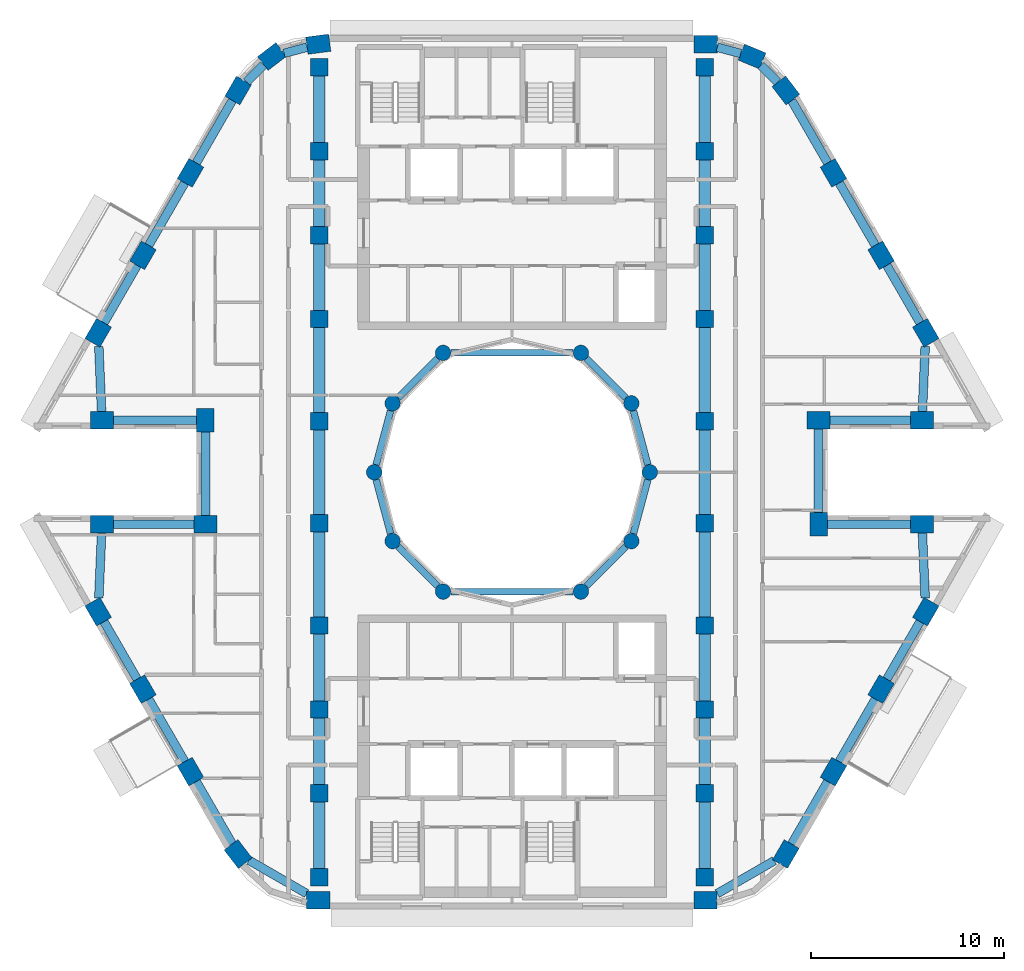
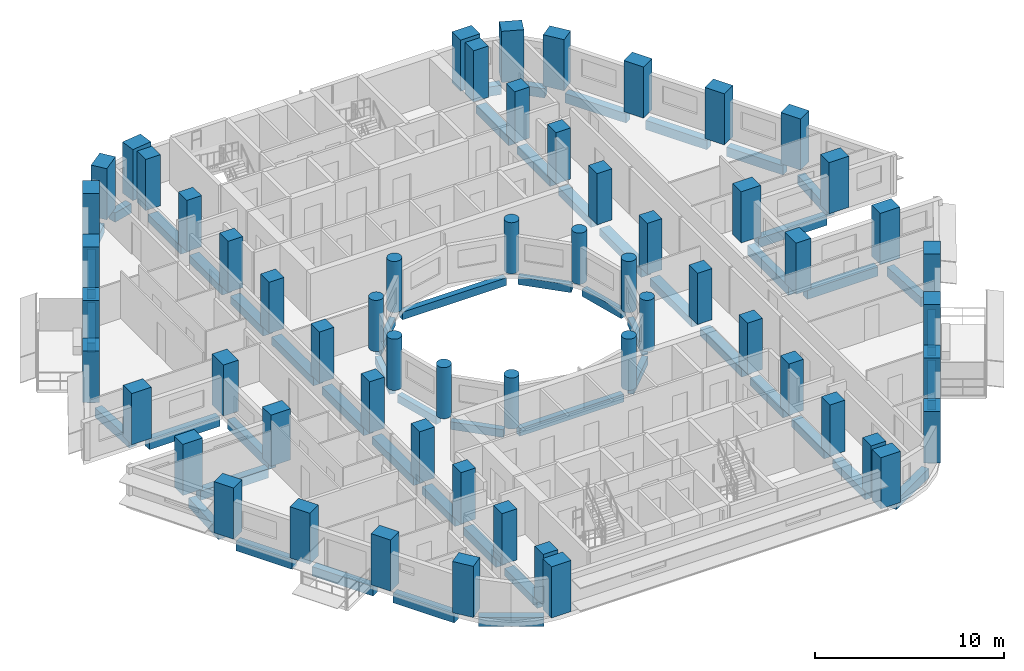
# One storey, part 1 of 17: 60 columns, 56 beams.
"""IFC4 building model written with IfcOpenShell, lengths in metres."""

from ifc_helpers import new_model, si_unit, direction, frame, origin, origin_2d, place, context, subcontext, project, spatial, rectangle, circle, extrude, material, material_profile, profile_set, type_object, element, save


model = new_model("IFC4")

# Units and contexts
model_context = context("Model", 3, precision=1e-05, world=origin(), true_north=direction((0.0, 1.0)))
body_context = subcontext(model_context, "Body", "Model", "MODEL_VIEW")
ifc_project = project(units=[si_unit("LENGTHUNIT", "METRE"), si_unit("AREAUNIT", "SQUARE_METRE"), si_unit("VOLUMEUNIT", "CUBIC_METRE"), si_unit("PLANEANGLEUNIT", "RADIAN"), si_unit("MASSUNIT", "GRAM", prefix="KILO")], contexts=[model_context])

# Site, building, storey
site_placement = place(None, origin())
site = spatial("IfcSite", under=ifc_project, at=site_placement, CompositionType="ELEMENT")
building_placement = place(site_placement, origin())
building = spatial("IfcBuilding", under=site, at=building_placement, Name="Nakaniwa Court", CompositionType="ELEMENT")
storey_placement = place(building_placement, frame((0.0, 0.0, 203.10009765625)))
storey = spatial("IfcBuildingStorey", under=building, at=storey_placement, Name="L53", CompositionType="ELEMENT", Elevation=203.10009765625)

# Columns
ifc_material = material(Name="Concrete C80/100", Category="concrete")
ifc_material_profile_1 = material_profile(ifc_material, rectangle(XDim=1.199951171875, YDim=0.89990234375, at=origin_2d()), Name="Concrete C80/100 RC 1200x900 perimeter column")
ifc_profile_set_1 = profile_set([ifc_material_profile_1], Name="Concrete C80/100")
column_type_1 = type_object("IfcColumnType", Name="Concrete C80/100 RC 1200x900 perimeter column", PredefinedType="COLUMN", material=ifc_profile_set_1)
for number, where, z_axis, x_axis, name in (
    (1, (69.95458984375, 102.199951171875, 0.0), (0.0, 0.0, 1.0), (-0.991442583111, -0.130543496177, 0.0), "COLUMN CO-01"),
    (2, (67.552001953125, 101.560302734375, 0.0), (0.0, 0.0, 1.0), (-0.793363965062, -0.608747582288, 0.0), "COLUMN CO-02"),
    (3, (65.796875, 99.799560546875, 0.0), (0.0, 0.0, 1.0), (-0.5, -0.866025403784, 0.0), "COLUMN CO-03"),
    (4, (63.328857421875, 95.524658203125, 0.0), (0.0, 0.0, 1.0), (-0.5, -0.866025403784, 0.0), "COLUMN CO-04"),
    (5, (60.860595703125, 91.249755859375, 0.0), (0.0, 0.0, 1.0), (-0.5, -0.866025403784, 0.0), "COLUMN CO-05"),
    (6, (58.541015625, 87.232177734375, 0.0), (0.0, 0.0, 1.0), (-0.5, -0.866025403784, 0.0), "COLUMN CO-06"),
    (7, (58.736083984375, 82.699951171875, 0.0), (0.0, 0.0, 1.0), (1.0, 0.0, 0.0), "COLUMN CO-08"),
    (8, (64.1005859375, 82.699951171875, 0.0), (0.0, 0.0, 1.0), (0.0, -1.0, 0.0), "COLUMN CO-09"),
    (9, (64.1005859375, 77.300048828125, 0.0), (0.0, 0.0, 1.0), (-1.0, 0.0, 0.0), "COLUMN CO-10"),
    (10, (58.736083984375, 77.300048828125, 0.0), (0.0, 0.0, 1.0), (-1.0, 0.0, 0.0), "COLUMN CO-11"),
    (11, (58.541015625, 72.767822265625, 0.0), (0.0, 0.0, 1.0), (0.5, -0.866025403784, 0.0), "COLUMN CO-13"),
    (12, (60.860595703125, 68.750244140625, 0.0), (0.0, 0.0, 1.0), (0.5, -0.866025403784, 0.0), "COLUMN CO-14"),
    (13, (63.328857421875, 64.475341796875, 0.0), (0.0, 0.0, 1.0), (0.5, -0.866025403784, 0.0), "COLUMN CO-15"),
    (14, (65.796875, 60.200439453125, 0.0), (0.0, 0.0, 1.0), (0.608761429009, -0.793353340291, 0.0), "COLUMN CO-16"),
    (15, (69.95458984375, 57.800048828125, 0.0), (0.0, 0.0, 1.0), (1.0, 0.0, 0.0), "COLUMN CO-17"),
    (16, (90.03955078125, 57.800048828125, 0.0), (0.0, 0.0, 1.0), (1.0, 0.0, 0.0), "COLUMN CO-21"),
    (17, (94.203125, 60.200439453125, 0.0), (0.0, 0.0, 1.0), (0.5, 0.866025403784, 0.0), "COLUMN CO-22"),
    (18, (96.671142578125, 64.475341796875, 0.0), (0.0, 0.0, 1.0), (0.5, 0.866025403784, 0.0), "COLUMN CO-23"),
    (19, (99.139404296875, 68.750244140625, 0.0), (0.0, 0.0, 1.0), (0.5, 0.866025403784, 0.0), "COLUMN CO-24"),
    (20, (101.458984375, 72.767822265625, 0.0), (0.0, 0.0, 1.0), (0.5, 0.866025403784, 0.0), "COLUMN CO-25"),
    (21, (101.263916015625, 77.300048828125, 0.0), (0.0, 0.0, 1.0), (-1.0, 0.0, 0.0), "COLUMN CO-27"),
    (22, (95.8994140625, 77.300048828125, 0.0), (0.0, 0.0, 1.0), (0.0, 1.0, 0.0), "COLUMN CO-28"),
    (23, (95.8994140625, 82.699951171875, 0.0), (0.0, 0.0, 1.0), (1.0, 0.0, 0.0), "COLUMN CO-29"),
    (24, (101.263916015625, 82.699951171875, 0.0), (0.0, 0.0, 1.0), (1.0, 0.0, 0.0), "COLUMN CO-30"),
    (25, (101.458984375, 87.232177734375, 0.0), (0.0, 0.0, 1.0), (-0.5, 0.866025403784, 0.0), "COLUMN CO-32"),
    (26, (99.139404296875, 91.249755859375, 0.0), (0.0, 0.0, 1.0), (-0.5, 0.866025403784, 0.0), "COLUMN CO-33"),
    (27, (96.671142578125, 95.524658203125, 0.0), (0.0, 0.0, 1.0), (-0.5, 0.866025403784, 0.0), "COLUMN CO-34"),
    (28, (94.203125, 99.799560546875, 0.0), (0.0, 0.0, 1.0), (-0.608761429009, 0.793353340291, 0.0), "COLUMN CO-35"),
    (29, (92.447998046875, 101.560302734375, 0.0), (0.0, 0.0, 1.0), (-0.923879532511, 0.382683432365, 0.0), "COLUMN CO-36"),
    (30, (90.04541015625, 102.199951171875, 0.0), (0.0, 0.0, 1.0), (-1.0, 0.0, 0.0), "COLUMN CO-37"),
):
    element("IfcColumn", number, at=place(storey_placement, frame(where, z_axis=z_axis, x_axis=x_axis)), inside=storey, type_object=column_type_1, Name=name, PredefinedType="COLUMN", context=body_context, shape_type="SweptSolid", body=[
        extrude(rectangle(XDim=1.199951171875, YDim=0.89990234375, at=origin_2d()), origin(), (0.0, 0.0, 1.0), 3.2998046875),
    ])
ifc_material_profile_2 = material_profile(ifc_material, rectangle(XDim=0.89990234375, YDim=0.89990234375, at=origin_2d()), Name="Concrete C80/100 RC 900x900 spine column")
ifc_profile_set_2 = profile_set([ifc_material_profile_2], Name="Concrete C80/100")
column_type_2 = type_object("IfcColumnType", Name="Concrete C80/100 RC 900x900 spine column", PredefinedType="COLUMN", material=ifc_profile_set_2)
for number, where, z_axis, x_axis, name in (
    (31, (90.0, 59.0, 0.0), (0.0, 0.0, 1.0), (0.0, 1.0, 0.0), "COLUMN CS-01"),
    (32, (90.0, 63.35009765625, 0.0), (0.0, 0.0, 1.0), (0.0, 1.0, 0.0), "COLUMN CS-02"),
    (33, (90.0, 67.699951171875, 0.0), (0.0, 0.0, 1.0), (0.0, 1.0, 0.0), "COLUMN CS-03"),
    (34, (90.0, 72.050048828125, 0.0), (0.0, 0.0, 1.0), (0.0, 1.0, 0.0), "COLUMN CS-04"),
    (35, (90.0, 77.35009765625, 0.0), (0.0, 0.0, 1.0), (0.0, 1.0, 0.0), "COLUMN CS-05"),
    (36, (90.0, 82.64990234375, 0.0), (0.0, 0.0, 1.0), (0.0, 1.0, 0.0), "COLUMN CS-06"),
    (37, (90.0, 87.949951171875, 0.0), (0.0, 0.0, 1.0), (0.0, 1.0, 0.0), "COLUMN CS-07"),
    (38, (90.0, 92.300048828125, 0.0), (0.0, 0.0, 1.0), (0.0, 1.0, 0.0), "COLUMN CS-08"),
    (39, (90.0, 96.64990234375, 0.0), (0.0, 0.0, 1.0), (0.0, 1.0, 0.0), "COLUMN CS-09"),
    (40, (90.0, 101.0, 0.0), (0.0, 0.0, 1.0), (0.0, 1.0, 0.0), "COLUMN CS-10"),
    (41, (70.0, 101.0, 0.0), (0.0, 0.0, 1.0), (0.0, -1.0, 0.0), "COLUMN CS-11"),
    (42, (70.0, 96.64990234375, 0.0), (0.0, 0.0, 1.0), (0.0, -1.0, 0.0), "COLUMN CS-12"),
    (43, (70.0, 92.300048828125, 0.0), (0.0, 0.0, 1.0), (0.0, -1.0, 0.0), "COLUMN CS-13"),
    (44, (70.0, 87.949951171875, 0.0), (0.0, 0.0, 1.0), (0.0, -1.0, 0.0), "COLUMN CS-14"),
    (45, (70.0, 82.64990234375, 0.0), (0.0, 0.0, 1.0), (0.0, -1.0, 0.0), "COLUMN CS-15"),
    (46, (70.0, 77.35009765625, 0.0), (0.0, 0.0, 1.0), (0.0, -1.0, 0.0), "COLUMN CS-16"),
    (47, (70.0, 72.050048828125, 0.0), (0.0, 0.0, 1.0), (0.0, -1.0, 0.0), "COLUMN CS-17"),
    (48, (70.0, 67.699951171875, 0.0), (0.0, 0.0, 1.0), (0.0, -1.0, 0.0), "COLUMN CS-18"),
    (49, (70.0, 63.35009765625, 0.0), (0.0, 0.0, 1.0), (0.0, -1.0, 0.0), "COLUMN CS-19"),
    (50, (70.0, 59.0, 0.0), (0.0, 0.0, 1.0), (0.0, -1.0, 0.0), "COLUMN CS-20"),
):
    element("IfcColumn", number, at=place(storey_placement, frame(where, z_axis=z_axis, x_axis=x_axis)), inside=storey, type_object=column_type_2, Name=name, PredefinedType="COLUMN", context=body_context, shape_type="SweptSolid", body=[
        extrude(rectangle(XDim=0.89990234375, YDim=0.89990234375, at=origin_2d()), origin(), (0.0, 0.0, 1.0), 3.2998046875),
    ])
ifc_material_profile_3 = material_profile(ifc_material, circle(Radius=0.39990234375, at=origin_2d()), Name="Concrete C80/100 RC D800 inner ring column")
ifc_profile_set_3 = profile_set([ifc_material_profile_3], Name="Concrete C80/100")
column_type_3 = type_object("IfcColumnType", Name="Concrete C80/100 RC D800 inner ring column", PredefinedType="COLUMN", material=ifc_profile_set_3)
for number, where, z_axis, x_axis, name in (
    (51, (87.14990234375, 80.0, 0.0), (0.0, 0.0, 1.0), (0.0, 1.0, 0.0), "COLUMN CI-01"),
    (52, (86.192138671875, 83.574951171875, 0.0), (0.0, 0.0, 1.0), (-0.5, 0.866025403784, 0.0), "COLUMN CI-02"),
    (53, (83.574951171875, 86.192138671875, 0.0), (0.0, 0.0, 1.0), (-0.866025403784, 0.5, 0.0), "COLUMN CI-03"),
    (54, (76.425048828125, 86.192138671875, 0.0), (0.0, 0.0, 1.0), (-0.866025403784, -0.5, 0.0), "COLUMN CI-05"),
    (55, (73.807861328125, 83.574951171875, 0.0), (0.0, 0.0, 1.0), (-0.5, -0.866025403784, 0.0), "COLUMN CI-06"),
    (56, (72.85009765625, 80.0, 0.0), (0.0, 0.0, 1.0), (0.0, -1.0, 0.0), "COLUMN CI-07"),
    (57, (73.807861328125, 76.425048828125, 0.0), (0.0, 0.0, 1.0), (0.5, -0.866025403784, 0.0), "COLUMN CI-08"),
    (58, (76.425048828125, 73.807861328125, 0.0), (0.0, 0.0, 1.0), (0.866025403784, -0.5, 0.0), "COLUMN CI-09"),
    (59, (83.574951171875, 73.807861328125, 0.0), (0.0, 0.0, 1.0), (0.866025403784, 0.5, 0.0), "COLUMN CI-11"),
    (60, (86.192138671875, 76.425048828125, 0.0), (0.0, 0.0, 1.0), (0.5, 0.866025403784, 0.0), "COLUMN CI-12"),
):
    element("IfcColumn", number, at=place(storey_placement, frame(where, z_axis=z_axis, x_axis=x_axis)), inside=storey, type_object=column_type_3, Name=name, PredefinedType="COLUMN", context=body_context, shape_type="SweptSolid", body=[
        extrude(circle(Radius=0.39990234375, at=origin_2d()), origin(), (0.0, 0.0, 1.0), 3.2998046875),
    ])

# Beams
ifc_material_profile_4 = material_profile(ifc_material, rectangle(XDim=0.35009765625, YDim=0.5, at=origin_2d()), Name="Concrete C80/100 RC 350x500 ring beam")
ifc_profile_set_4 = profile_set([ifc_material_profile_4], Name="Concrete C80/100")
beam_type_1 = type_object("IfcBeamType", Name="Concrete C80/100 RC 350x500 ring beam", PredefinedType="BEAM", material=ifc_profile_set_4)
beam_1_placement = place(storey_placement, frame((87.04638671875, 80.386474609375, -0.525146484375), z_axis=(-0.258778150207, 0.965936783115, 0.0), x_axis=(-0.965936783115, -0.258778150207, 0.0)))
element("IfcBeam", 61, at=beam_1_placement, inside=storey, type_object=beam_type_1, Name="RING BEAM", PredefinedType="BEAM", context=body_context, shape_type="SweptSolid", body=[
    extrude(rectangle(XDim=0.35009765625, YDim=0.5, at=origin_2d()), origin(), (0.0, 0.0, 1.0), 2.901123046875),
])
beam_2_placement = place(storey_placement, frame((85.9091796875, 83.85791015625, -0.525146484375), z_axis=(-0.707106781187, 0.707106781187, 0.0), x_axis=(-0.707106781187, -0.707106781187, 0.0)))
element("IfcBeam", 62, at=beam_2_placement, inside=storey, type_object=beam_type_1, Name="RING BEAM", PredefinedType="BEAM", context=body_context, shape_type="SweptSolid", body=[
    extrude(rectangle(XDim=0.35009765625, YDim=0.5, at=origin_2d()), origin(), (0.0, 0.0, 1.0), 2.90087890625),
])
beam_3_placement = place(storey_placement, frame((83.175048828125, 86.192138671875, -0.525146484375), z_axis=(-1.0, 0.0, 0.0), x_axis=(0.0, -1.0, 0.0)))
element("IfcBeam", 63, at=beam_3_placement, inside=storey, type_object=beam_type_1, Name="RING BEAM", PredefinedType="BEAM", context=body_context, shape_type="SweptSolid", body=[
    extrude(rectangle(XDim=0.35009765625, YDim=0.5, at=origin_2d()), origin(), (0.0, 0.0, 1.0), 6.35009765625),
])
beam_4_placement = place(storey_placement, frame((76.14208984375, 85.9091796875, -0.525146484375), z_axis=(-0.707106781187, -0.707106781187, 0.0), x_axis=(0.707106781187, -0.707106781187, 0.0)))
element("IfcBeam", 64, at=beam_4_placement, inside=storey, type_object=beam_type_1, Name="RING BEAM", PredefinedType="BEAM", context=body_context, shape_type="SweptSolid", body=[
    extrude(rectangle(XDim=0.35009765625, YDim=0.5, at=origin_2d()), origin(), (0.0, 0.0, 1.0), 2.90087890625),
])
for number, where, z_axis, x_axis, name in (
    (65, (73.704345703125, 83.188720703125, -0.525146484375), (-0.258778150207, -0.965936783115, 0.0), (0.965936783115, -0.258778150207, 0.0), "RING BEAM"),
    (66, (72.95361328125, 79.613525390625, -0.525146484375), (0.258778150207, -0.965936783115, 0.0), (0.965936783115, 0.258778150207, 0.0), "RING BEAM"),
):
    element("IfcBeam", number, at=place(storey_placement, frame(where, z_axis=z_axis, x_axis=x_axis)), inside=storey, type_object=beam_type_1, Name=name, PredefinedType="BEAM", context=body_context, shape_type="SweptSolid", body=[
        extrude(rectangle(XDim=0.35009765625, YDim=0.5, at=origin_2d()), origin(), (0.0, 0.0, 1.0), 2.901123046875),
    ])
beam_5_placement = place(storey_placement, frame((74.0908203125, 76.14208984375, -0.525146484375), z_axis=(0.707106781187, -0.707106781187, 0.0), x_axis=(0.707106781187, 0.707106781187, 0.0)))
element("IfcBeam", 67, at=beam_5_placement, inside=storey, type_object=beam_type_1, Name="RING BEAM", PredefinedType="BEAM", context=body_context, shape_type="SweptSolid", body=[
    extrude(rectangle(XDim=0.35009765625, YDim=0.5, at=origin_2d()), origin(), (0.0, 0.0, 1.0), 2.90087890625),
])
beam_6_placement = place(storey_placement, frame((76.824951171875, 73.807861328125, -0.525146484375), z_axis=(1.0, 0.0, 0.0), x_axis=(0.0, 1.0, 0.0)))
element("IfcBeam", 68, at=beam_6_placement, inside=storey, type_object=beam_type_1, Name="RING BEAM", PredefinedType="BEAM", context=body_context, shape_type="SweptSolid", body=[
    extrude(rectangle(XDim=0.35009765625, YDim=0.5, at=origin_2d()), origin(), (0.0, 0.0, 1.0), 6.35009765625),
])
beam_7_placement = place(storey_placement, frame((83.85791015625, 74.0908203125, -0.525146484375), z_axis=(0.707106781187, 0.707106781187, 0.0), x_axis=(-0.707106781187, 0.707106781187, 0.0)))
element("IfcBeam", 69, at=beam_7_placement, inside=storey, type_object=beam_type_1, Name="RING BEAM", PredefinedType="BEAM", context=body_context, shape_type="SweptSolid", body=[
    extrude(rectangle(XDim=0.35009765625, YDim=0.5, at=origin_2d()), origin(), (0.0, 0.0, 1.0), 2.90087890625),
])
beam_8_placement = place(storey_placement, frame((86.295654296875, 76.811279296875, -0.525146484375), z_axis=(0.258778150207, 0.965936783115, 0.0), x_axis=(-0.965936783115, 0.258778150207, 0.0)))
element("IfcBeam", 70, at=beam_8_placement, inside=storey, type_object=beam_type_1, Name="RING BEAM", PredefinedType="BEAM", context=body_context, shape_type="SweptSolid", body=[
    extrude(rectangle(XDim=0.35009765625, YDim=0.5, at=origin_2d()), origin(), (0.0, 0.0, 1.0), 2.901123046875),
])
ifc_material_profile_5 = material_profile(ifc_material, rectangle(XDim=0.449951171875, YDim=0.60009765625, at=origin_2d()), Name="Concrete C80/100 RC 450x600 spandrel beam")
ifc_profile_set_5 = profile_set([ifc_material_profile_5], Name="Concrete C80/100")
beam_type_2 = type_object("IfcBeamType", Name="Concrete C80/100 RC 450x600 spandrel beam", PredefinedType="BEAM", material=ifc_profile_set_5)
beam_9_placement = place(storey_placement, frame((69.3701171875, 102.044189453125, -0.5751953125), z_axis=(-0.966320442624, -0.257341800272, 0.0), x_axis=(0.257341800272, -0.966320442624, 0.0)))
element("IfcBeam", 71, at=beam_9_placement, inside=storey, type_object=beam_type_2, Name="SPANDREL BEAM", PredefinedType="BEAM", context=body_context, shape_type="SweptSolid", body=[
    extrude(rectangle(XDim=0.449951171875, YDim=0.60009765625, at=origin_2d()), origin(), (0.0, 0.0, 1.0), 1.2314453125),
])
beam_10_placement = place(storey_placement, frame((67.124755859375, 101.131591796875, -0.5751953125), z_axis=(-0.705943141011, -0.708268509578, 0.0), x_axis=(0.708268509578, -0.705943141011, 0.0)))
element("IfcBeam", 72, at=beam_10_placement, inside=storey, type_object=beam_type_2, Name="SPANDREL BEAM", PredefinedType="BEAM", context=body_context, shape_type="SweptSolid", body=[
    extrude(rectangle(XDim=0.449951171875, YDim=0.60009765625, at=origin_2d()), origin(), (0.0, 0.0, 1.0), 1.259765625),
])
for number, where, z_axis, x_axis, name in (
    (73, (65.496826171875, 99.27978515625, -0.5751953125), (-0.499969460568, -0.866043035016, 0.0), (0.866043035016, -0.499969460568, 0.0), "SPANDREL BEAM"),
    (74, (63.02880859375, 95.0048828125, -0.5751953125), (-0.500018470369, -0.866014739649, 0.0), (0.866014739649, -0.500018470369, 0.0), "SPANDREL BEAM"),
):
    element("IfcBeam", number, at=place(storey_placement, frame(where, z_axis=z_axis, x_axis=x_axis)), inside=storey, type_object=beam_type_2, Name=name, PredefinedType="BEAM", context=body_context, shape_type="SweptSolid", body=[
        extrude(rectangle(XDim=0.449951171875, YDim=0.60009765625, at=origin_2d()), origin(), (0.0, 0.0, 1.0), 3.736083984375),
    ])
beam_11_placement = place(storey_placement, frame((60.560791015625, 90.72998046875, -0.5751953125), z_axis=(-0.500048133448, -0.865997612142, 0.0), x_axis=(0.865997612142, -0.500048133448, 0.0)))
element("IfcBeam", 75, at=beam_11_placement, inside=storey, type_object=beam_type_2, Name="SPANDREL BEAM", PredefinedType="BEAM", context=body_context, shape_type="SweptSolid", body=[
    extrude(rectangle(XDim=0.449951171875, YDim=0.60009765625, at=origin_2d()), origin(), (0.0, 0.0, 1.0), 3.439208984375),
])
beam_12_placement = place(storey_placement, frame((58.57177734375, 86.521728515625, -0.5751953125), z_axis=(0.042897265713, -0.999079488627, 0.0), x_axis=(0.999079488627, 0.042897265713, 0.0)))
element("IfcBeam", 76, at=beam_12_placement, inside=storey, type_object=beam_type_2, Name="SPANDREL BEAM", PredefinedType="BEAM", context=body_context, shape_type="SweptSolid", body=[
    extrude(rectangle(XDim=0.449951171875, YDim=0.60009765625, at=origin_2d()), origin(), (0.0, 0.0, 1.0), 3.375),
])
beam_13_placement = place(storey_placement, frame((59.3359375, 82.699951171875, -0.5751953125), z_axis=(1.0, 0.0, 0.0), x_axis=(0.0, 1.0, 0.0)))
element("IfcBeam", 77, at=beam_13_placement, inside=storey, type_object=beam_type_2, Name="SPANDREL BEAM", PredefinedType="BEAM", context=body_context, shape_type="SweptSolid", body=[
    extrude(rectangle(XDim=0.449951171875, YDim=0.60009765625, at=origin_2d()), origin(), (0.0, 0.0, 1.0), 4.314453125),
])
beam_14_placement = place(storey_placement, frame((64.1005859375, 82.10009765625, -0.5751953125), z_axis=(0.0, -1.0, 0.0), x_axis=(1.0, 0.0, 0.0)))
element("IfcBeam", 78, at=beam_14_placement, inside=storey, type_object=beam_type_2, Name="SPANDREL BEAM", PredefinedType="BEAM", context=body_context, shape_type="SweptSolid", body=[
    extrude(rectangle(XDim=0.449951171875, YDim=0.60009765625, at=origin_2d()), origin(), (0.0, 0.0, 1.0), 4.35009765625),
])
beam_15_placement = place(storey_placement, frame((63.50048828125, 77.300048828125, -0.5751953125), z_axis=(-1.0, 0.0, 0.0), x_axis=(0.0, -1.0, 0.0)))
element("IfcBeam", 79, at=beam_15_placement, inside=storey, type_object=beam_type_2, Name="SPANDREL BEAM", PredefinedType="BEAM", context=body_context, shape_type="SweptSolid", body=[
    extrude(rectangle(XDim=0.449951171875, YDim=0.60009765625, at=origin_2d()), origin(), (0.0, 0.0, 1.0), 4.16455078125),
])
beam_16_placement = place(storey_placement, frame((58.716552734375, 76.85009765625, -0.5751953125), z_axis=(-0.042897265713, -0.999079488627, 0.0), x_axis=(0.999079488627, -0.042897265713, 0.0)))
element("IfcBeam", 80, at=beam_16_placement, inside=storey, type_object=beam_type_2, Name="SPANDREL BEAM", PredefinedType="BEAM", context=body_context, shape_type="SweptSolid", body=[
    extrude(rectangle(XDim=0.449951171875, YDim=0.60009765625, at=origin_2d()), origin(), (0.0, 0.0, 1.0), 3.375),
])
beam_17_placement = place(storey_placement, frame((58.841064453125, 72.248291015625, -0.5751953125), z_axis=(0.500048133448, -0.865997612142, 0.0), x_axis=(0.865997612142, 0.500048133448, 0.0)))
element("IfcBeam", 81, at=beam_17_placement, inside=storey, type_object=beam_type_2, Name="SPANDREL BEAM", PredefinedType="BEAM", context=body_context, shape_type="SweptSolid", body=[
    extrude(rectangle(XDim=0.449951171875, YDim=0.60009765625, at=origin_2d()), origin(), (0.0, 0.0, 1.0), 3.439208984375),
])
beam_18_placement = place(storey_placement, frame((61.16064453125, 68.230712890625, -0.5751953125), z_axis=(0.500018470369, -0.866014739649, 0.0), x_axis=(0.866014739649, 0.500018470369, 0.0)))
element("IfcBeam", 82, at=beam_18_placement, inside=storey, type_object=beam_type_2, Name="SPANDREL BEAM", PredefinedType="BEAM", context=body_context, shape_type="SweptSolid", body=[
    extrude(rectangle(XDim=0.449951171875, YDim=0.60009765625, at=origin_2d()), origin(), (0.0, 0.0, 1.0), 3.736083984375),
])
beam_19_placement = place(storey_placement, frame((63.62890625, 63.955810546875, -0.5751953125), z_axis=(0.499988672538, -0.866031943599, 0.0), x_axis=(0.866031943599, 0.499988672538, 0.0)))
element("IfcBeam", 83, at=beam_19_placement, inside=storey, type_object=beam_type_2, Name="SPANDREL BEAM", PredefinedType="BEAM", context=body_context, shape_type="SweptSolid", body=[
    extrude(rectangle(XDim=0.449951171875, YDim=0.60009765625, at=origin_2d()), origin(), (0.0, 0.0, 1.0), 3.73095703125),
])
beam_20_placement = place(storey_placement, frame((66.359375, 59.875732421875, -0.5751953125), z_axis=(0.866041005548, -0.49997297598, 0.0), x_axis=(0.49997297598, 0.866041005548, 0.0)))
element("IfcBeam", 84, at=beam_20_placement, inside=storey, type_object=beam_type_2, Name="SPANDREL BEAM", PredefinedType="BEAM", context=body_context, shape_type="SweptSolid", body=[
    extrude(rectangle(XDim=0.449951171875, YDim=0.60009765625, at=origin_2d()), origin(), (0.0, 0.0, 1.0), 3.458740234375),
])
beam_21_placement = place(storey_placement, frame((90.639404296875, 58.14599609375, -0.5751953125), z_axis=(0.866361397704, 0.499417589367, 0.0), x_axis=(-0.499417589367, 0.866361397704, 0.0)))
element("IfcBeam", 85, at=beam_21_placement, inside=storey, type_object=beam_type_2, Name="SPANDREL BEAM", PredefinedType="BEAM", context=body_context, shape_type="SweptSolid", body=[
    extrude(rectangle(XDim=0.449951171875, YDim=0.60009765625, at=origin_2d()), origin(), (0.0, 0.0, 1.0), 3.42041015625),
])
for number, where, z_axis, x_axis, name in (
    (86, (94.503173828125, 60.72021484375, -0.5751953125), (0.499969460568, 0.866043035016, 0.0), (-0.866043035016, 0.499969460568, 0.0), "SPANDREL BEAM"),
    (87, (96.97119140625, 64.9951171875, -0.5751953125), (0.500018470369, 0.866014739649, 0.0), (-0.866014739649, 0.500018470369, 0.0), "SPANDREL BEAM"),
):
    element("IfcBeam", number, at=place(storey_placement, frame(where, z_axis=z_axis, x_axis=x_axis)), inside=storey, type_object=beam_type_2, Name=name, PredefinedType="BEAM", context=body_context, shape_type="SweptSolid", body=[
        extrude(rectangle(XDim=0.449951171875, YDim=0.60009765625, at=origin_2d()), origin(), (0.0, 0.0, 1.0), 3.736083984375),
    ])
beam_22_placement = place(storey_placement, frame((99.439208984375, 69.27001953125, -0.5751953125), z_axis=(0.500048133448, 0.865997612142, 0.0), x_axis=(-0.865997612142, 0.500048133448, 0.0)))
element("IfcBeam", 88, at=beam_22_placement, inside=storey, type_object=beam_type_2, Name="SPANDREL BEAM", PredefinedType="BEAM", context=body_context, shape_type="SweptSolid", body=[
    extrude(rectangle(XDim=0.449951171875, YDim=0.60009765625, at=origin_2d()), origin(), (0.0, 0.0, 1.0), 3.439208984375),
])
beam_23_placement = place(storey_placement, frame((101.42822265625, 73.478271484375, -0.5751953125), z_axis=(-0.042897265713, 0.999079488627, 0.0), x_axis=(-0.999079488627, -0.042897265713, 0.0)))
element("IfcBeam", 89, at=beam_23_placement, inside=storey, type_object=beam_type_2, Name="SPANDREL BEAM", PredefinedType="BEAM", context=body_context, shape_type="SweptSolid", body=[
    extrude(rectangle(XDim=0.449951171875, YDim=0.60009765625, at=origin_2d()), origin(), (0.0, 0.0, 1.0), 3.375),
])
beam_24_placement = place(storey_placement, frame((100.6640625, 77.300048828125, -0.5751953125), z_axis=(-1.0, 0.0, 0.0), x_axis=(0.0, -1.0, 0.0)))
element("IfcBeam", 90, at=beam_24_placement, inside=storey, type_object=beam_type_2, Name="SPANDREL BEAM", PredefinedType="BEAM", context=body_context, shape_type="SweptSolid", body=[
    extrude(rectangle(XDim=0.449951171875, YDim=0.60009765625, at=origin_2d()), origin(), (0.0, 0.0, 1.0), 4.314453125),
])
beam_25_placement = place(storey_placement, frame((95.8994140625, 77.89990234375, -0.5751953125), z_axis=(0.0, 1.0, 0.0), x_axis=(-1.0, 0.0, 0.0)))
element("IfcBeam", 91, at=beam_25_placement, inside=storey, type_object=beam_type_2, Name="SPANDREL BEAM", PredefinedType="BEAM", context=body_context, shape_type="SweptSolid", body=[
    extrude(rectangle(XDim=0.449951171875, YDim=0.60009765625, at=origin_2d()), origin(), (0.0, 0.0, 1.0), 4.35009765625),
])
beam_26_placement = place(storey_placement, frame((96.49951171875, 82.699951171875, -0.5751953125), z_axis=(1.0, 0.0, 0.0), x_axis=(0.0, 1.0, 0.0)))
element("IfcBeam", 92, at=beam_26_placement, inside=storey, type_object=beam_type_2, Name="SPANDREL BEAM", PredefinedType="BEAM", context=body_context, shape_type="SweptSolid", body=[
    extrude(rectangle(XDim=0.449951171875, YDim=0.60009765625, at=origin_2d()), origin(), (0.0, 0.0, 1.0), 4.16455078125),
])
beam_27_placement = place(storey_placement, frame((101.283447265625, 83.14990234375, -0.5751953125), z_axis=(0.042897265713, 0.999079488627, 0.0), x_axis=(-0.999079488627, 0.042897265713, 0.0)))
element("IfcBeam", 93, at=beam_27_placement, inside=storey, type_object=beam_type_2, Name="SPANDREL BEAM", PredefinedType="BEAM", context=body_context, shape_type="SweptSolid", body=[
    extrude(rectangle(XDim=0.449951171875, YDim=0.60009765625, at=origin_2d()), origin(), (0.0, 0.0, 1.0), 3.375),
])
beam_28_placement = place(storey_placement, frame((101.158935546875, 87.751708984375, -0.5751953125), z_axis=(-0.500048133448, 0.865997612142, 0.0), x_axis=(-0.865997612142, -0.500048133448, 0.0)))
element("IfcBeam", 94, at=beam_28_placement, inside=storey, type_object=beam_type_2, Name="SPANDREL BEAM", PredefinedType="BEAM", context=body_context, shape_type="SweptSolid", body=[
    extrude(rectangle(XDim=0.449951171875, YDim=0.60009765625, at=origin_2d()), origin(), (0.0, 0.0, 1.0), 3.439208984375),
])
beam_29_placement = place(storey_placement, frame((98.83935546875, 91.769287109375, -0.5751953125), z_axis=(-0.500018470369, 0.866014739649, 0.0), x_axis=(-0.866014739649, -0.500018470369, 0.0)))
element("IfcBeam", 95, at=beam_29_placement, inside=storey, type_object=beam_type_2, Name="SPANDREL BEAM", PredefinedType="BEAM", context=body_context, shape_type="SweptSolid", body=[
    extrude(rectangle(XDim=0.449951171875, YDim=0.60009765625, at=origin_2d()), origin(), (0.0, 0.0, 1.0), 3.736083984375),
])
beam_30_placement = place(storey_placement, frame((96.37109375, 96.044189453125, -0.5751953125), z_axis=(-0.499988672538, 0.866031943599, 0.0), x_axis=(-0.866031943599, -0.499988672538, 0.0)))
element("IfcBeam", 96, at=beam_30_placement, inside=storey, type_object=beam_type_2, Name="SPANDREL BEAM", PredefinedType="BEAM", context=body_context, shape_type="SweptSolid", body=[
    extrude(rectangle(XDim=0.449951171875, YDim=0.60009765625, at=origin_2d()), origin(), (0.0, 0.0, 1.0), 3.73095703125),
])
beam_31_placement = place(storey_placement, frame((93.77587890625, 100.22802734375, -0.5751953125), z_axis=(-0.705916034154, 0.708295526404, 0.0), x_axis=(-0.708295526404, -0.705916034154, 0.0)))
element("IfcBeam", 97, at=beam_31_placement, inside=storey, type_object=beam_type_2, Name="SPANDREL BEAM", PredefinedType="BEAM", context=body_context, shape_type="SweptSolid", body=[
    extrude(rectangle(XDim=0.449951171875, YDim=0.60009765625, at=origin_2d()), origin(), (0.0, 0.0, 1.0), 1.231201171875),
])
beam_32_placement = place(storey_placement, frame((91.863037109375, 101.716064453125, -0.5751953125), z_axis=(-0.966337757832, 0.257276772735, 0.0), x_axis=(-0.257276772735, -0.966337757832, 0.0)))
element("IfcBeam", 98, at=beam_32_placement, inside=storey, type_object=beam_type_2, Name="SPANDREL BEAM", PredefinedType="BEAM", context=body_context, shape_type="SweptSolid", body=[
    extrude(rectangle(XDim=0.449951171875, YDim=0.60009765625, at=origin_2d()), origin(), (0.0, 0.0, 1.0), 1.26025390625),
])
ifc_material_profile_6 = material_profile(ifc_material, rectangle(XDim=0.60009765625, YDim=0.5, at=origin_2d()), Name="Concrete C80/100 RC 600x500 ring beam")
ifc_profile_set_6 = profile_set([ifc_material_profile_6], Name="Concrete C80/100")
beam_type_3 = type_object("IfcBeamType", Name="Concrete C80/100 RC 600x500 ring beam", PredefinedType="BEAM", material=ifc_profile_set_6)
for number, where, z_axis, x_axis, name in (
    (99, (90.0, 59.449951171875, -0.525146484375), (0.0, 1.0, 0.0), (-1.0, 0.0, 0.0), "RING BEAM"),
    (100, (90.0, 63.800048828125, -0.525146484375), (0.0, 1.0, 0.0), (-1.0, 0.0, 0.0), "RING BEAM"),
):
    element("IfcBeam", number, at=place(storey_placement, frame(where, z_axis=z_axis, x_axis=x_axis)), inside=storey, type_object=beam_type_3, Name=name, PredefinedType="BEAM", context=body_context, shape_type="SweptSolid", body=[
        extrude(rectangle(XDim=0.60009765625, YDim=0.5, at=origin_2d()), origin(), (0.0, 0.0, 1.0), 3.449951171875),
    ])
beam_33_placement = place(storey_placement, frame((90.0, 68.14990234375, -0.525146484375), z_axis=(0.0, 1.0, 0.0), x_axis=(-1.0, 0.0, 0.0)))
element("IfcBeam", 101, at=beam_33_placement, inside=storey, type_object=beam_type_3, Name="RING BEAM", PredefinedType="BEAM", context=body_context, shape_type="SweptSolid", body=[
    extrude(rectangle(XDim=0.60009765625, YDim=0.5, at=origin_2d()), origin(), (0.0, 0.0, 1.0), 3.4501953125),
])
for number, where, z_axis, x_axis, name in (
    (102, (90.0, 72.5, -0.525146484375), (0.0, 1.0, 0.0), (-1.0, 0.0, 0.0), "RING BEAM"),
    (103, (90.0, 77.800048828125, -0.525146484375), (0.0, 1.0, 0.0), (-1.0, 0.0, 0.0), "RING BEAM"),
    (104, (90.0, 83.10009765625, -0.525146484375), (0.0, 1.0, 0.0), (-1.0, 0.0, 0.0), "RING BEAM"),
):
    element("IfcBeam", number, at=place(storey_placement, frame(where, z_axis=z_axis, x_axis=x_axis)), inside=storey, type_object=beam_type_3, Name=name, PredefinedType="BEAM", context=body_context, shape_type="SweptSolid", body=[
        extrude(rectangle(XDim=0.60009765625, YDim=0.5, at=origin_2d()), origin(), (0.0, 0.0, 1.0), 4.39990234375),
    ])
beam_34_placement = place(storey_placement, frame((90.0, 88.39990234375, -0.525146484375), z_axis=(0.0, 1.0, 0.0), x_axis=(-1.0, 0.0, 0.0)))
element("IfcBeam", 105, at=beam_34_placement, inside=storey, type_object=beam_type_3, Name="RING BEAM", PredefinedType="BEAM", context=body_context, shape_type="SweptSolid", body=[
    extrude(rectangle(XDim=0.60009765625, YDim=0.5, at=origin_2d()), origin(), (0.0, 0.0, 1.0), 3.4501953125),
])
for number, where, z_axis, x_axis, name in (
    (106, (90.0, 92.75, -0.525146484375), (0.0, 1.0, 0.0), (-1.0, 0.0, 0.0), "RING BEAM"),
    (107, (90.0, 97.10009765625, -0.525146484375), (0.0, 1.0, 0.0), (-1.0, 0.0, 0.0), "RING BEAM"),
    (108, (70.0, 100.550048828125, -0.525146484375), (0.0, -1.0, 0.0), (1.0, 0.0, 0.0), "RING BEAM"),
    (109, (70.0, 96.199951171875, -0.525146484375), (0.0, -1.0, 0.0), (1.0, 0.0, 0.0), "RING BEAM"),
):
    element("IfcBeam", number, at=place(storey_placement, frame(where, z_axis=z_axis, x_axis=x_axis)), inside=storey, type_object=beam_type_3, Name=name, PredefinedType="BEAM", context=body_context, shape_type="SweptSolid", body=[
        extrude(rectangle(XDim=0.60009765625, YDim=0.5, at=origin_2d()), origin(), (0.0, 0.0, 1.0), 3.449951171875),
    ])
beam_35_placement = place(storey_placement, frame((70.0, 91.85009765625, -0.525146484375), z_axis=(0.0, -1.0, 0.0), x_axis=(1.0, 0.0, 0.0)))
element("IfcBeam", 110, at=beam_35_placement, inside=storey, type_object=beam_type_3, Name="RING BEAM", PredefinedType="BEAM", context=body_context, shape_type="SweptSolid", body=[
    extrude(rectangle(XDim=0.60009765625, YDim=0.5, at=origin_2d()), origin(), (0.0, 0.0, 1.0), 3.4501953125),
])
for number, where, z_axis, x_axis, name in (
    (111, (70.0, 87.5, -0.525146484375), (0.0, -1.0, 0.0), (1.0, 0.0, 0.0), "RING BEAM"),
    (112, (70.0, 82.199951171875, -0.525146484375), (0.0, -1.0, 0.0), (1.0, 0.0, 0.0), "RING BEAM"),
    (113, (70.0, 76.89990234375, -0.525146484375), (0.0, -1.0, 0.0), (1.0, 0.0, 0.0), "RING BEAM"),
):
    element("IfcBeam", number, at=place(storey_placement, frame(where, z_axis=z_axis, x_axis=x_axis)), inside=storey, type_object=beam_type_3, Name=name, PredefinedType="BEAM", context=body_context, shape_type="SweptSolid", body=[
        extrude(rectangle(XDim=0.60009765625, YDim=0.5, at=origin_2d()), origin(), (0.0, 0.0, 1.0), 4.39990234375),
    ])
beam_36_placement = place(storey_placement, frame((70.0, 71.60009765625, -0.525146484375), z_axis=(0.0, -1.0, 0.0), x_axis=(1.0, 0.0, 0.0)))
element("IfcBeam", 114, at=beam_36_placement, inside=storey, type_object=beam_type_3, Name="RING BEAM", PredefinedType="BEAM", context=body_context, shape_type="SweptSolid", body=[
    extrude(rectangle(XDim=0.60009765625, YDim=0.5, at=origin_2d()), origin(), (0.0, 0.0, 1.0), 3.4501953125),
])
for number, where, z_axis, x_axis, name in (
    (115, (70.0, 67.25, -0.525146484375), (0.0, -1.0, 0.0), (1.0, 0.0, 0.0), "RING BEAM"),
    (116, (70.0, 62.89990234375, -0.525146484375), (0.0, -1.0, 0.0), (1.0, 0.0, 0.0), "RING BEAM"),
):
    element("IfcBeam", number, at=place(storey_placement, frame(where, z_axis=z_axis, x_axis=x_axis)), inside=storey, type_object=beam_type_3, Name=name, PredefinedType="BEAM", context=body_context, shape_type="SweptSolid", body=[
        extrude(rectangle(XDim=0.60009765625, YDim=0.5, at=origin_2d()), origin(), (0.0, 0.0, 1.0), 3.449951171875),
    ])

save(model, "model.ifc")
